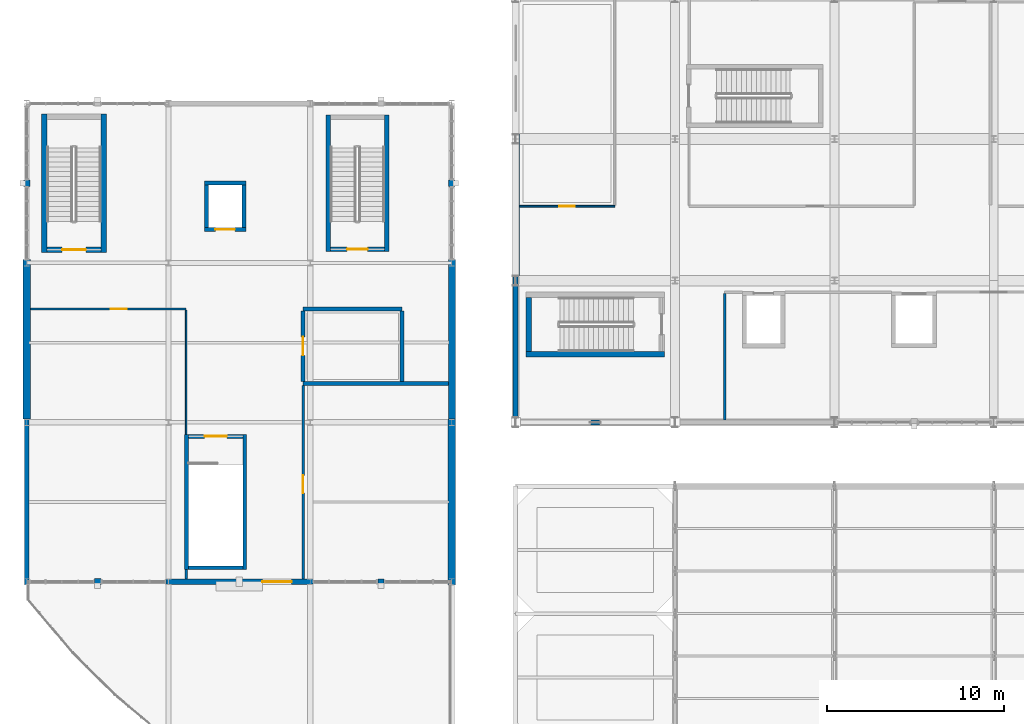
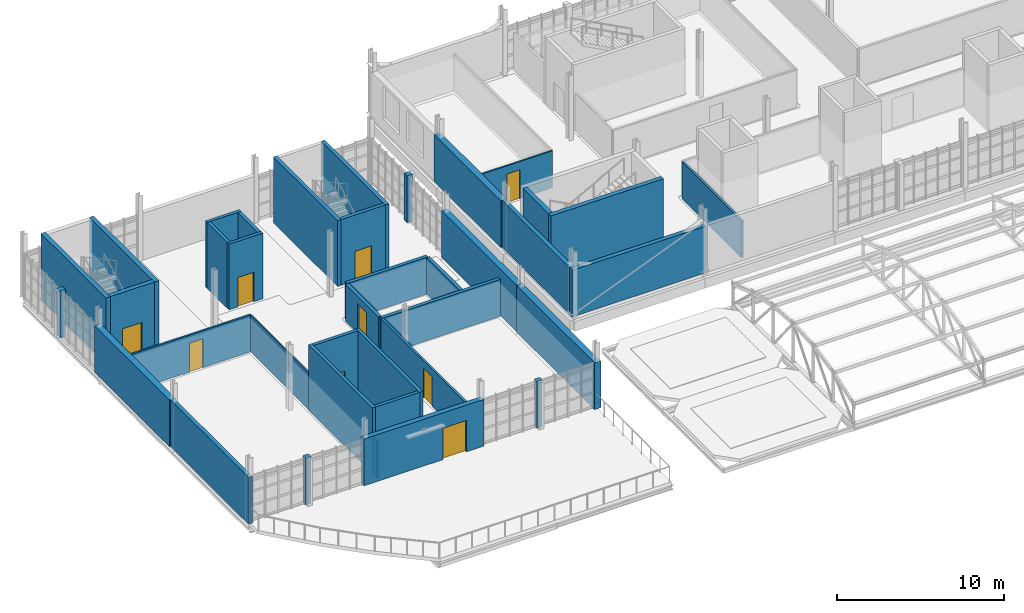
# One storey, part 113 of 128: 38 walls, 9 doors, 9 openings.
"""IFC4 building model written with IfcOpenShell, lengths in metres."""

from ifc_helpers import new_model, si_unit, direction, frame, frame_2d, origin, place, context, subcontext, project, spatial, rectangle, extrude, material, layer, layer_set, type_object, element, fill, save


model = new_model("IFC4")

# Units and contexts
model_context = context("Model", 3, precision=1e-05, world=origin(), true_north=direction((0.0, 1.0)))
body_context = subcontext(model_context, "Body", "Model", "MODEL_VIEW")
ifc_project = project(units=[si_unit("LENGTHUNIT", "METRE"), si_unit("AREAUNIT", "SQUARE_METRE"), si_unit("VOLUMEUNIT", "CUBIC_METRE"), si_unit("PLANEANGLEUNIT", "RADIAN"), si_unit("MASSUNIT", "GRAM", prefix="KILO")], contexts=[model_context])

# Site, building, storey
site_placement = place(None, origin())
site = spatial("IfcSite", under=ifc_project, at=site_placement, CompositionType="ELEMENT")
building_placement = place(site_placement, origin())
building = spatial("IfcBuilding", under=site, at=building_placement, Name="Serraforn Aerial Cableway Station", CompositionType="ELEMENT")
storey_placement = place(building_placement, frame((0.0, 0.0, 9.0)))
storey = spatial("IfcBuildingStorey", under=building, at=storey_placement, Name="L02", CompositionType="ELEMENT", Elevation=9.0)

# Wall, opening, door
ifc_material_1 = material(Name="Concrete C35/45", Category="concrete")
ifc_layer_1 = layer(ifc_material_1, 0.219970703125)
ifc_layer_set_1 = layer_set([ifc_layer_1], Name="Concrete C35/45")
wall_type_1 = type_object("IfcWallType", Name="WL-COR-220", PredefinedType="SHEAR", material=ifc_layer_set_1)
wall_1_placement = place(storey_placement, frame((9.139892578125, 17.2099609375, 0.0), z_axis=(0.0, 0.0, 1.0), x_axis=(1.0, 0.0, 0.0)))
wall_1 = element("IfcWall", 1, at=wall_1_placement, inside=storey, type_object=wall_type_1, Name="Stair Core Shear Wall WCOR-ST-12-L02-NEAR", PredefinedType="SHEAR", context=body_context, shape_type="SweptSolid", body=[
    extrude(rectangle(XDim=3.06005859375, YDim=0.219970703125, at=frame_2d((1.530029296875, 0.0))), origin(), (0.0, 0.0, 1.0), 4.800048828125),
])
opening_1_placement = place(wall_1_placement, frame((0.905029296875, 0.0, 0.0)))
opening_1 = element("IfcOpeningElement", 2, at=opening_1_placement, cuts=wall_1, Name="Opening D-S11", PredefinedType="OPENING", context=body_context, shape_type="SweptSolid", body=[
    extrude(rectangle(XDim=1.25, YDim=2.14990234375, at=frame_2d((0.625, 1.074951171875))), frame((0.0, 0.119873046875, 0.0), z_axis=(0.0, -1.0, 0.0), x_axis=(1.0, 0.0, 0.0)), (0.0, 0.0, 1.0), 0.239990234375),
])
ifc_material_2 = material(Name="Self-closing steel stair fire door", Category="steel")
door_type_1 = type_object("IfcDoorType", Name="DR-STAIR-125", OperationType="NOTDEFINED", PredefinedType="DOOR", material=ifc_material_2)
door_1_placement = place(opening_1_placement, origin())
door_1 = element("IfcDoor", 3, at=door_1_placement, inside=storey, type_object=door_type_1, Name="Protected Stair Door D-S11", OperationType="SINGLE_SWING_LEFT", OverallHeight=2.14990234375, OverallWidth=1.25, PredefinedType="DOOR", context=body_context, shape_type="SweptSolid", body=[
    extrude(rectangle(XDim=1.25, YDim=2.14990234375, at=frame_2d((0.625, 1.074951171875))), frame((0.0, 0.02490234375, 0.0), z_axis=(0.0, -1.0, 0.0), x_axis=(1.0, 0.0, 0.0)), (0.0, 0.0, 1.0), 0.050048828125),
])
fill(opening_1, door_1)

# Walls
wall_2_placement = place(storey_placement, frame((9.139892578125, 9.7900390625, 0.0), z_axis=(0.0, 0.0, 1.0), x_axis=(1.0, 0.0, 0.0)))
element("IfcWall", 4, at=wall_2_placement, inside=storey, type_object=wall_type_1, Name="Stair Core Shear Wall WCOR-ST-12-L02-FAR", PredefinedType="SHEAR", context=body_context, shape_type="SweptSolid", body=[
    extrude(rectangle(XDim=3.06005859375, YDim=0.219970703125, at=frame_2d((1.530029296875, 0.0))), origin(), (0.0, 0.0, 1.0), 4.800048828125),
])
for number, where, z_axis, x_axis, name in (
    (5, (9.030029296875, 17.320068359375, 0.0), (0.0, 0.0, 1.0), (0.0, -1.0, 0.0), "Stair Core Shear Wall WCOR-ST-12-L02-L"),
    (6, (12.31005859375, 17.320068359375, 0.0), (0.0, 0.0, 1.0), (0.0, -1.0, 0.0), "Stair Core Shear Wall WCOR-ST-12-L02-R"),
):
    element("IfcWall", number, at=place(storey_placement, frame(where, z_axis=z_axis, x_axis=x_axis)), inside=storey, type_object=wall_type_1, Name=name, PredefinedType="SHEAR", context=body_context, shape_type="SweptSolid", body=[
        extrude(rectangle(XDim=7.64013671875, YDim=0.219970703125, at=frame_2d((3.820068359375, 0.0))), origin(), (0.0, 0.0, 1.0), 4.800048828125),
    ])

# Wall, opening, door
wall_3_placement = place(storey_placement, frame((10.030029296875, 28.889892578125, 0.0), z_axis=(0.0, 0.0, 1.0), x_axis=(1.0, 0.0, 0.0)))
wall_3 = element("IfcWall", 7, at=wall_3_placement, inside=storey, type_object=wall_type_1, Name="Lift Shaft Shear Wall WLFT-LF-01-L02-S", PredefinedType="SHEAR", context=body_context, shape_type="SweptSolid", body=[
    extrude(rectangle(XDim=2.340087890625, YDim=0.219970703125, at=frame_2d((1.169921875, 0.0))), origin(), (0.0, 0.0, 1.0), 4.800048828125),
])
opening_2_placement = place(wall_3_placement, frame((0.6201171875, 0.0, 0.0)))
opening_2 = element("IfcOpeningElement", 8, at=opening_2_placement, cuts=wall_3, Name="Opening LD-03", PredefinedType="OPENING", context=body_context, shape_type="SweptSolid", body=[
    extrude(rectangle(XDim=1.10009765625, YDim=2.14990234375, at=frame_2d((0.550048828125, 1.074951171875))), frame((0.0, 0.119873046875, 0.0), z_axis=(0.0, -1.0, 0.0), x_axis=(1.0, 0.0, 0.0)), (0.0, 0.0, 1.0), 0.239990234375),
])
ifc_material_3 = material(Name="Brushed stainless-steel sliding lift landing door", Category="steel")
door_type_2 = type_object("IfcDoorType", Name="DR-LIFT-110", OperationType="SLIDING_TO_LEFT", PredefinedType="DOOR", material=ifc_material_3)
door_2_placement = place(opening_2_placement, origin())
door_2 = element("IfcDoor", 9, at=door_2_placement, inside=storey, type_object=door_type_2, Name="Sliding Lift Landing Door LD-03 (LF-01 L02)", OperationType="SLIDING_TO_LEFT", OverallHeight=2.14990234375, OverallWidth=1.10009765625, PredefinedType="DOOR", context=body_context, shape_type="SweptSolid", body=[
    extrude(rectangle(XDim=1.10009765625, YDim=2.14990234375, at=frame_2d((0.550048828125, 1.074951171875))), frame((0.0, 0.02490234375, 0.0), z_axis=(0.0, -1.0, 0.0), x_axis=(1.0, 0.0, 0.0)), (0.0, 0.0, 1.0), 0.050048828125),
])
fill(opening_2, door_2)

# Walls
wall_4_placement = place(storey_placement, frame((10.030029296875, 31.510009765625, 0.0), z_axis=(0.0, 0.0, 1.0), x_axis=(1.0, 0.0, 0.0)))
element("IfcWall", 10, at=wall_4_placement, inside=storey, type_object=wall_type_1, Name="Lift Shaft Shear Wall WLFT-LF-01-L02-N", PredefinedType="SHEAR", context=body_context, shape_type="SweptSolid", body=[
    extrude(rectangle(XDim=2.340087890625, YDim=0.219970703125, at=frame_2d((1.169921875, 0.0))), origin(), (0.0, 0.0, 1.0), 4.800048828125),
])
for number, where, z_axis, x_axis, name in (
    (11, (10.139892578125, 29.0, 0.0), (0.0, 0.0, 1.0), (0.0, 1.0, 0.0), "Lift Shaft Shear Wall WLFT-LF-01-L02-W"),
    (12, (12.260009765625, 29.0, 0.0), (0.0, 0.0, 1.0), (0.0, 1.0, 0.0), "Lift Shaft Shear Wall WLFT-LF-01-L02-E"),
):
    element("IfcWall", number, at=place(storey_placement, frame(where, z_axis=z_axis, x_axis=x_axis)), inside=storey, type_object=wall_type_1, Name=name, PredefinedType="SHEAR", context=body_context, shape_type="SweptSolid", body=[
        extrude(rectangle(XDim=2.39990234375, YDim=0.219970703125, at=frame_2d((1.199951171875, 0.0))), origin(), (0.0, 0.0, 1.0), 4.800048828125),
    ])

# Wall, opening, door
ifc_layer_2 = layer(ifc_material_1, 0.25)
ifc_layer_set_2 = layer_set([ifc_layer_2], Name="Concrete C35/45")
wall_type_2 = type_object("IfcWallType", Name="WL-COR-250", PredefinedType="SHEAR", material=ifc_layer_set_2)
wall_5_placement = place(storey_placement, frame((20.199951171875, 27.77490234375, 0.0), z_axis=(0.0, 0.0, 1.0), x_axis=(-1.0, 0.0, 0.0)))
wall_5 = element("IfcWall", 13, at=wall_5_placement, inside=storey, type_object=wall_type_2, Name="Stair Core Shear Wall WCOR-ST-02-L02-NEAR", PredefinedType="SHEAR", context=body_context, shape_type="SweptSolid", body=[
    extrude(rectangle(XDim=3.06005859375, YDim=0.25, at=frame_2d((1.530029296875, 0.0))), origin(), (0.0, 0.0, 1.0), 4.800048828125),
])
opening_3_placement = place(wall_5_placement, frame((0.955078125, 0.0, 0.0)))
opening_3 = element("IfcOpeningElement", 14, at=opening_3_placement, cuts=wall_5, Name="Opening D-S07", PredefinedType="OPENING", context=body_context, shape_type="SweptSolid", body=[
    extrude(rectangle(XDim=1.14990234375, YDim=2.14990234375, at=frame_2d((0.574951171875, 1.074951171875))), frame((0.0, 0.135009765625, 0.0), z_axis=(0.0, -1.0, 0.0), x_axis=(1.0, 0.0, 0.0)), (0.0, 0.0, 1.0), 0.27001953125),
])
door_type_3 = type_object("IfcDoorType", Name="DR-STAIR-115", OperationType="NOTDEFINED", PredefinedType="DOOR", material=ifc_material_2)
door_3_placement = place(opening_3_placement, origin())
door_3 = element("IfcDoor", 15, at=door_3_placement, inside=storey, type_object=door_type_3, Name="Protected Stair Door D-S07", OperationType="SINGLE_SWING_RIGHT", OverallHeight=2.14990234375, OverallWidth=1.14990234375, PredefinedType="DOOR", context=body_context, shape_type="SweptSolid", body=[
    extrude(rectangle(XDim=1.14990234375, YDim=2.14990234375, at=frame_2d((0.574951171875, 1.074951171875))), frame((0.0, 0.02490234375, 0.0), z_axis=(0.0, -1.0, 0.0), x_axis=(1.0, 0.0, 0.0)), (0.0, 0.0, 1.0), 0.050048828125),
])
fill(opening_3, door_3)

# Walls
for number, where, z_axis, x_axis, name in (
    (16, (20.324951171875, 27.64990234375, 0.0), (0.0, 0.0, 1.0), (0.0, 1.0, 0.0), "Stair Core Shear Wall WCOR-ST-02-L02-L"),
    (17, (17.014892578125, 27.64990234375, 0.0), (0.0, 0.0, 1.0), (0.0, 1.0, 0.0), "Stair Core Shear Wall WCOR-ST-02-L02-R"),
):
    element("IfcWall", number, at=place(storey_placement, frame(where, z_axis=z_axis, x_axis=x_axis)), inside=storey, type_object=wall_type_2, Name=name, PredefinedType="SHEAR", context=body_context, shape_type="SweptSolid", body=[
        extrude(rectangle(XDim=7.7001953125, YDim=0.25, at=frame_2d((3.85009765625, 0.0))), origin(), (0.0, 0.0, 1.0), 4.800048828125),
    ])

# Wall, opening, door
ifc_layer_3 = layer(ifc_material_1, 0.300048828125)
ifc_layer_set_3 = layer_set([ifc_layer_3], Name="Concrete C35/45")
wall_type_3 = type_object("IfcWallType", Name="WL-COR-300", PredefinedType="SHEAR", material=ifc_layer_set_3)
wall_6_placement = place(storey_placement, frame((4.199951171875, 27.75, 0.0), z_axis=(0.0, 0.0, 1.0), x_axis=(-1.0, 0.0, 0.0)))
wall_6 = element("IfcWall", 18, at=wall_6_placement, inside=storey, type_object=wall_type_3, Name="Stair Core Shear Wall WCOR-ST-01-L02-NEAR", PredefinedType="SHEAR", context=body_context, shape_type="SweptSolid", body=[
    extrude(rectangle(XDim=3.06005859375, YDim=0.300048828125, at=frame_2d((1.530029296875, 0.0))), origin(), (0.0, 0.0, 1.0), 4.800048828125),
])
opening_4_placement = place(wall_6_placement, frame((0.85498046875, 0.0, 0.0)))
opening_4 = element("IfcOpeningElement", 19, at=opening_4_placement, cuts=wall_6, Name="Opening D-S03", PredefinedType="OPENING", context=body_context, shape_type="SweptSolid", body=[
    extrude(rectangle(XDim=1.35009765625, YDim=2.14990234375, at=frame_2d((0.675048828125, 1.074951171875))), frame((0.0, 0.159912109375, 0.0), z_axis=(0.0, -1.0, 0.0), x_axis=(1.0, 0.0, 0.0)), (0.0, 0.0, 1.0), 0.320068359375),
])
door_type_4 = type_object("IfcDoorType", Name="DR-STAIR-135", OperationType="NOTDEFINED", PredefinedType="DOOR", material=ifc_material_2)
door_4_placement = place(opening_4_placement, origin())
door_4 = element("IfcDoor", 20, at=door_4_placement, inside=storey, type_object=door_type_4, Name="Protected Stair Door D-S03", OperationType="SINGLE_SWING_LEFT", OverallHeight=2.14990234375, OverallWidth=1.35009765625, PredefinedType="DOOR", context=body_context, shape_type="SweptSolid", body=[
    extrude(rectangle(XDim=1.35009765625, YDim=2.14990234375, at=frame_2d((0.675048828125, 1.074951171875))), frame((0.0, 0.02490234375, 0.0), z_axis=(0.0, -1.0, 0.0), x_axis=(1.0, 0.0, 0.0)), (0.0, 0.0, 1.0), 0.050048828125),
])
fill(opening_4, door_4)

# Walls
for number, where, z_axis, x_axis, name in (
    (21, (4.35009765625, 27.60009765625, 0.0), (0.0, 0.0, 1.0), (0.0, 1.0, 0.0), "Stair Core Shear Wall WCOR-ST-01-L02-L"),
    (22, (0.989990234375, 27.60009765625, 0.0), (0.0, 0.0, 1.0), (0.0, 1.0, 0.0), "Stair Core Shear Wall WCOR-ST-01-L02-R"),
):
    element("IfcWall", number, at=place(storey_placement, frame(where, z_axis=z_axis, x_axis=x_axis)), inside=storey, type_object=wall_type_3, Name=name, PredefinedType="SHEAR", context=body_context, shape_type="SweptSolid", body=[
        extrude(rectangle(XDim=7.7998046875, YDim=0.300048828125, at=frame_2d((3.89990234375, 0.0))), origin(), (0.0, 0.0, 1.0), 4.800048828125),
    ])
wall_7_placement = place(storey_placement, frame((28.35009765625, 25.06005859375, 0.0), z_axis=(0.0, 0.0, 1.0), x_axis=(0.0, -1.0, 0.0)))
element("IfcWall", 23, at=wall_7_placement, inside=storey, type_object=wall_type_3, Name="Stair Core Shear Wall WCOR-ST-03-L02-FAR", PredefinedType="SHEAR", context=body_context, shape_type="SweptSolid", body=[
    extrude(rectangle(XDim=3.06005859375, YDim=0.300048828125, at=frame_2d((1.530029296875, 0.0))), origin(), (0.0, 0.0, 1.0), 4.800048828125),
])
wall_8_placement = place(storey_placement, frame((36.0, 21.85009765625, 0.0), z_axis=(0.0, 0.0, 1.0), x_axis=(-1.0, 0.0, 0.0)))
element("IfcWall", 24, at=wall_8_placement, inside=storey, type_object=wall_type_3, Name="Stair Core Shear Wall WCOR-ST-03-L02-R", PredefinedType="SHEAR", context=body_context, shape_type="SweptSolid", body=[
    extrude(rectangle(XDim=7.800048828125, YDim=0.300048828125, at=frame_2d((3.89990234375, 0.0))), origin(), (0.0, 0.0, 1.0), 4.800048828125),
])
ifc_material_4 = material(Name="Insulated stuccoed terracotta facade", Category="masonry")
ifc_layer_4 = layer(ifc_material_4, 0.260009765625)
ifc_layer_set_4 = layer_set([ifc_layer_4], Name="Insulated stuccoed terracotta facade")
wall_type_4 = type_object("IfcWallType", Name="WL-EXT-260", PredefinedType="SOLIDWALL", material=ifc_layer_set_4)
wall_9_placement = place(storey_placement, frame((0.0, 18.179931640625, 0.0), z_axis=(0.0, 0.0, 1.0), x_axis=(0.0, -1.0, 0.0)))
element("IfcWall", 25, at=wall_9_placement, inside=storey, type_object=wall_type_4, Name="Exterior Wall WEXT-W-L02-W1", PredefinedType="SOLIDWALL", context=body_context, shape_type="SweptSolid", body=[
    extrude(rectangle(XDim=9.35986328125, YDim=0.260009765625, at=frame_2d((4.679931640625, 0.0))), origin(), (0.0, 0.0, 1.0), 3.419921875),
])
ifc_layer_5 = layer(ifc_material_4, 0.27490234375)
ifc_layer_set_5 = layer_set([ifc_layer_5], Name="Insulated stuccoed terracotta facade")
wall_type_5 = type_object("IfcWallType", Name="WL-EXT-275", PredefinedType="SOLIDWALL", material=ifc_layer_set_5)
wall_10_placement = place(storey_placement, frame((27.60009765625, 26.27490234375, 0.0), z_axis=(0.0, 0.0, 1.0), x_axis=(0.0, -1.0, 0.0)))
element("IfcWall", 26, at=wall_10_placement, inside=storey, type_object=wall_type_5, Name="Exterior Wall WEXT-CV-L02-W1", PredefinedType="SOLIDWALL", context=body_context, shape_type="SweptSolid", body=[
    extrude(rectangle(XDim=8.12890625, YDim=0.27490234375, at=frame_2d((4.064453125, 0.0))), origin(), (0.0, 0.0, 1.0), 3.419921875),
])
ifc_material_5 = material(Name="Insulated fluted limestone rainscreen", Category="masonry")
ifc_layer_6 = layer(ifc_material_5, 0.2900390625)
ifc_layer_set_6 = layer_set([ifc_layer_6], Name="Insulated fluted limestone rainscreen")
wall_type_6 = type_object("IfcWallType", Name="WL-EXT-290", PredefinedType="SOLIDWALL", material=ifc_layer_set_6)
wall_11_placement = place(storey_placement, frame((27.449951171875, 18.0, 0.0), z_axis=(0.0, 0.0, 1.0), x_axis=(1.0, 0.0, 0.0)))
element("IfcWall", 27, at=wall_11_placement, inside=storey, type_object=wall_type_6, Name="Exterior Wall WEXT-CV-L02-S1", PredefinedType="SOLIDWALL", context=body_context, shape_type="SweptSolid", body=[
    extrude(rectangle(XDim=9.300048828125, YDim=0.2900390625, at=frame_2d((4.64990234375, 0.0))), origin(), (0.0, 0.0, 1.0), 3.419921875),
])
ifc_layer_7 = layer(ifc_material_5, 0.320068359375)
ifc_layer_set_7 = layer_set([ifc_layer_7], Name="Insulated fluted limestone rainscreen")
wall_type_7 = type_object("IfcWallType", Name="WL-EXT-320", PredefinedType="SOLIDWALL", material=ifc_layer_set_7)
wall_12_placement = place(storey_placement, frame((19.820068359375, 9.0, 0.0), z_axis=(0.0, 0.0, 1.0), x_axis=(1.0, 0.0, 0.0)))
element("IfcWall", 28, at=wall_12_placement, inside=storey, type_object=wall_type_7, Name="Exterior Wall WPIER-W-L02-S3", PredefinedType="SOLIDWALL", context=body_context, shape_type="SweptSolid", body=[
    extrude(rectangle(XDim=0.35986328125, YDim=0.320068359375, at=frame_2d((0.179931640625, 0.0))), origin(), (0.0, 0.0, 1.0), 3.419921875),
])

# Wall, opening, door
ifc_layer_8 = layer(ifc_material_5, 0.3349609375)
ifc_layer_set_8 = layer_set([ifc_layer_8], Name="Insulated fluted limestone rainscreen")
wall_type_8 = type_object("IfcWallType", Name="WL-EXT-335", PredefinedType="SOLIDWALL", material=ifc_layer_set_8)
wall_13_placement = place(storey_placement, frame((7.85009765625, 9.0, 0.0), z_axis=(0.0, 0.0, 1.0), x_axis=(1.0, 0.0, 0.0)))
wall_13 = element("IfcWall", 29, at=wall_13_placement, inside=storey, type_object=wall_type_8, Name="Exterior Wall WEXT-W-L02-S2", PredefinedType="SOLIDWALL", context=body_context, shape_type="SweptSolid", body=[
    extrude(rectangle(XDim=8.2998046875, YDim=0.3349609375, at=frame_2d((4.14990234375, 0.0))), origin(), (0.0, 0.0, 1.0), 3.419921875),
])
opening_5_placement = place(wall_13_placement, frame((5.44970703125, 0.0, 0.0)))
opening_5 = element("IfcOpeningElement", 30, at=opening_5_placement, cuts=wall_13, Name="Opening DT-01", PredefinedType="OPENING", context=body_context, shape_type="SweptSolid", body=[
    extrude(rectangle(XDim=1.64990234375, YDim=2.300048828125, at=frame_2d((0.824951171875, 1.14990234375))), frame((0.0, 0.177490234375, 0.0), z_axis=(0.0, -1.0, 0.0), x_axis=(1.0, 0.0, 0.0)), (0.0, 0.0, 1.0), 0.35498046875),
])
ifc_material_6 = material(Name="Anodised bronze thermally broken aluminium and laminated glass", Category="aluminium")
door_type_5 = type_object("IfcDoorType", Name="DR-TER-165", OperationType="DOUBLE_SWING_LEFT", PredefinedType="DOOR", material=ifc_material_6)
door_5_placement = place(opening_5_placement, origin())
door_5 = element("IfcDoor", 31, at=door_5_placement, inside=storey, type_object=door_type_5, Name="Exterior Door DT-W-L02-TER", OperationType="DOUBLE_SWING_LEFT", OverallHeight=2.300048828125, OverallWidth=1.64990234375, PredefinedType="DOOR", context=body_context, shape_type="SweptSolid", body=[
    extrude(rectangle(XDim=1.64990234375, YDim=2.300048828125, at=frame_2d((0.824951171875, 1.14990234375))), frame((0.0, 0.02490234375, 0.0), z_axis=(0.0, -1.0, 0.0), x_axis=(1.0, 0.0, 0.0)), (0.0, 0.0, 1.0), 0.050048828125),
])
fill(opening_5, door_5)

# Walls
ifc_material_7 = material(Name="Montjuic sandstone ashlar masonry", Category="masonry")
ifc_layer_9 = layer(ifc_material_7, 0.35009765625)
ifc_layer_set_9 = layer_set([ifc_layer_9], Name="Montjuic sandstone ashlar masonry")
wall_type_9 = type_object("IfcWallType", Name="WL-EXT-350", PredefinedType="SOLIDWALL", material=ifc_layer_set_9)
wall_14_placement = place(storey_placement, frame((3.820068359375, 9.0, 0.0), z_axis=(0.0, 0.0, 1.0), x_axis=(1.0, 0.0, 0.0)))
element("IfcWall", 32, at=wall_14_placement, inside=storey, type_object=wall_type_9, Name="Exterior Wall WPIER-W-L02-S1", PredefinedType="SOLIDWALL", context=body_context, shape_type="SweptSolid", body=[
    extrude(rectangle(XDim=0.35986328125, YDim=0.35009765625, at=frame_2d((0.179931640625, 0.0))), origin(), (0.0, 0.0, 1.0), 3.419921875),
])
ifc_layer_10 = layer(ifc_material_7, 0.364990234375)
ifc_layer_set_10 = layer_set([ifc_layer_10], Name="Montjuic sandstone ashlar masonry")
wall_type_10 = type_object("IfcWallType", Name="WL-EXT-365", PredefinedType="SOLIDWALL", material=ifc_layer_set_10)
wall_15_placement = place(storey_placement, frame((24.0, 31.320068359375, 0.0), z_axis=(0.0, 0.0, 1.0), x_axis=(0.0, 1.0, 0.0)))
element("IfcWall", 33, at=wall_15_placement, inside=storey, type_object=wall_type_10, Name="Exterior Wall WPIER-W-L02-E3", PredefinedType="SOLIDWALL", context=body_context, shape_type="SweptSolid", body=[
    extrude(rectangle(XDim=0.35986328125, YDim=0.364990234375, at=frame_2d((0.179931640625, 0.0))), origin(), (0.0, 0.0, 1.0), 3.419921875),
])
ifc_layer_11 = layer(ifc_material_7, 0.3798828125)
ifc_layer_set_11 = layer_set([ifc_layer_11], Name="Montjuic sandstone ashlar masonry")
wall_type_11 = type_object("IfcWallType", Name="WL-EXT-380", PredefinedType="SOLIDWALL", material=ifc_layer_set_11)
wall_16_placement = place(storey_placement, frame((0.0, 31.679931640625, 0.0), z_axis=(0.0, 0.0, 1.0), x_axis=(0.0, -1.0, 0.0)))
element("IfcWall", 34, at=wall_16_placement, inside=storey, type_object=wall_type_11, Name="Exterior Wall WPIER-W-L02-W3", PredefinedType="SOLIDWALL", context=body_context, shape_type="SweptSolid", body=[
    extrude(rectangle(XDim=0.35986328125, YDim=0.3798828125, at=frame_2d((0.179931640625, 0.0))), origin(), (0.0, 0.0, 1.0), 3.419921875),
])
ifc_layer_12 = layer(ifc_material_7, 0.39990234375)
ifc_layer_set_12 = layer_set([ifc_layer_12], Name="Montjuic sandstone ashlar masonry")
wall_type_12 = type_object("IfcWallType", Name="WL-EXT-400", PredefinedType="SOLIDWALL", material=ifc_layer_set_12)
wall_17_placement = place(storey_placement, frame((24.0, 18.180908203125, 0.0), z_axis=(0.0, 0.0, 1.0), x_axis=(0.0, 1.0, 0.0)))
element("IfcWall", 35, at=wall_17_placement, inside=storey, type_object=wall_type_12, Name="Exterior Wall WEXT-W-L02-E2", PredefinedType="SOLIDWALL", context=body_context, shape_type="SweptSolid", body=[
    extrude(rectangle(XDim=8.9990234375, YDim=0.39990234375, at=frame_2d((4.49951171875, 0.0))), origin(), (0.0, 0.0, 1.0), 3.419921875),
])
ifc_layer_13 = layer(ifc_material_7, 0.4150390625)
ifc_layer_set_13 = layer_set([ifc_layer_13], Name="Montjuic sandstone ashlar masonry")
wall_type_13 = type_object("IfcWallType", Name="WL-EXT-415", PredefinedType="SOLIDWALL", material=ifc_layer_set_13)
wall_18_placement = place(storey_placement, frame((0.0, 27.179931640625, 0.0), z_axis=(0.0, 0.0, 1.0), x_axis=(0.0, -1.0, 0.0)))
element("IfcWall", 36, at=wall_18_placement, inside=storey, type_object=wall_type_13, Name="Exterior Wall WEXT-W-L02-W2", PredefinedType="SOLIDWALL", context=body_context, shape_type="SweptSolid", body=[
    extrude(rectangle(XDim=8.9990234375, YDim=0.4150390625, at=frame_2d((4.49951171875, 0.0))), origin(), (0.0, 0.0, 1.0), 3.419921875),
])
ifc_layer_14 = layer(ifc_material_7, 0.429931640625)
ifc_layer_set_14 = layer_set([ifc_layer_14], Name="Montjuic sandstone ashlar masonry")
wall_type_14 = type_object("IfcWallType", Name="WL-EXT-430", PredefinedType="SOLIDWALL", material=ifc_layer_set_14)
wall_19_placement = place(storey_placement, frame((24.0, 8.820068359375, 0.0), z_axis=(0.0, 0.0, 1.0), x_axis=(0.0, 1.0, 0.0)))
element("IfcWall", 37, at=wall_19_placement, inside=storey, type_object=wall_type_14, Name="Exterior Wall WEXT-W-L02-E1", PredefinedType="SOLIDWALL", context=body_context, shape_type="SweptSolid", body=[
    extrude(rectangle(XDim=9.35986328125, YDim=0.429931640625, at=frame_2d((4.679931640625, 0.0))), origin(), (0.0, 0.0, 1.0), 3.419921875),
])
wall_20_placement = place(storey_placement, frame((27.60009765625, 34.27490234375, 0.0), z_axis=(0.0, 0.0, 1.0), x_axis=(0.0, -1.0, 0.0)))
element("IfcWall", 38, at=wall_20_placement, inside=storey, type_object=wall_type_14, Name="Exterior Wall WEXT-CV-L02-W2", PredefinedType="SOLIDWALL", context=body_context, shape_type="SweptSolid", body=[
    extrude(rectangle(XDim=7.9990234375, YDim=0.429931640625, at=frame_2d((3.99951171875, 0.0))), origin(), (0.0, 0.0, 1.0), 3.419921875),
])

# Wall, opening, door
ifc_material_8 = material(Name="Operable acoustic auditorium partition")
ifc_layer_15 = layer(ifc_material_8, 0.1259765625)
ifc_layer_set_15 = layer_set([ifc_layer_15], Name="Operable acoustic auditorium partition")
wall_type_15 = type_object("IfcWallType", Name="WL-MOV-126", PredefinedType="MOVABLE", material=ifc_layer_set_15)
wall_21_placement = place(storey_placement, frame((0.20849609375, 24.39990234375, 0.0), z_axis=(0.0, 0.0, 1.0), x_axis=(1.0, 0.0, 0.0)))
wall_21 = element("IfcWall", 39, at=wall_21_placement, inside=storey, type_object=wall_type_15, Name="Interior Partition WPRT-L02-01-156", PredefinedType="MOVABLE", context=body_context, shape_type="SweptSolid", body=[
    extrude(rectangle(XDim=8.79150390625, YDim=0.1259765625, at=frame_2d((4.395751953125, 0.0))), origin(), (0.0, 0.0, 1.0), 2.699951171875),
])
opening_6_placement = place(wall_21_placement, frame((4.531494140625, 0.0, 0.0)))
opening_6 = element("IfcOpeningElement", 40, at=opening_6_placement, cuts=wall_21, Name="Opening DI-049", PredefinedType="OPENING", context=body_context, shape_type="SweptSolid", body=[
    extrude(rectangle(XDim=0.919921875, YDim=2.1201171875, at=frame_2d((0.4599609375, 1.06005859375))), frame((0.0, 0.072998046875, 0.0), z_axis=(0.0, -1.0, 0.0), x_axis=(1.0, 0.0, 0.0)), (0.0, 0.0, 1.0), 0.14599609375),
])
ifc_material_9 = material(Name="Timber acoustic veneer leaf", Category="wood")
door_type_6 = type_object("IfcDoorType", Name="DR-INT-092", OperationType="NOTDEFINED", PredefinedType="DOOR", material=ifc_material_9)
door_6_placement = place(opening_6_placement, origin())
door_6 = element("IfcDoor", 41, at=door_6_placement, inside=storey, type_object=door_type_6, Name="Room Door DI-049 (L02-01)", OperationType="SINGLE_SWING_RIGHT", OverallHeight=2.1201171875, OverallWidth=0.919921875, PredefinedType="DOOR", context=body_context, shape_type="SweptSolid", body=[
    extrude(rectangle(XDim=0.919921875, YDim=2.1201171875, at=frame_2d((0.4599609375, 1.06005859375))), frame((0.0, 0.02490234375, 0.0), z_axis=(0.0, -1.0, 0.0), x_axis=(1.0, 0.0, 0.0)), (0.0, 0.0, 1.0), 0.050048828125),
])
fill(opening_6, door_6)

ifc_material_10 = material(Name="Sanitary service chase partition")
ifc_layer_16 = layer(ifc_material_10, 0.22802734375)
ifc_layer_set_16 = layer_set([ifc_layer_16], Name="Sanitary service chase partition")
wall_type_16 = type_object("IfcWallType", Name="WL-PLM-228", PredefinedType="PLUMBINGWALL", material=ifc_layer_set_16)
wall_22_placement = place(storey_placement, frame((15.60009765625, 20.318603515625, 0.0), z_axis=(0.0, 0.0, 1.0), x_axis=(0.0, 1.0, 0.0)))
wall_22 = element("IfcWall", 42, at=wall_22_placement, inside=storey, type_object=wall_type_16, Name="Interior Partition WPRT-L02-16-161", PredefinedType="PLUMBINGWALL", context=body_context, shape_type="SweptSolid", body=[
    extrude(rectangle(XDim=3.96630859375, YDim=0.22802734375, at=frame_2d((1.983154296875, 0.0))), origin(), (0.0, 0.0, 1.0), 2.699951171875),
])
opening_7_placement = place(wall_22_placement, frame((1.45654296875, 0.0, 0.0)))
opening_7 = element("IfcOpeningElement", 43, at=opening_7_placement, cuts=wall_22, Name="Opening DI-051", PredefinedType="OPENING", context=body_context, shape_type="SweptSolid", body=[
    extrude(rectangle(XDim=1.050048828125, YDim=2.14990234375, at=frame_2d((0.52490234375, 1.074951171875))), frame((0.0, 0.1240234375, 0.0), z_axis=(0.0, -1.0, 0.0), x_axis=(1.0, 0.0, 0.0)), (0.0, 0.0, 1.0), 0.248046875),
])
ifc_material_11 = material(Name="Fire-rated oak veneer leaf")
door_type_7 = type_object("IfcDoorType", Name="DR-INT-105", OperationType="NOTDEFINED", PredefinedType="DOOR", material=ifc_material_11)
door_7_placement = place(opening_7_placement, origin())
door_7 = element("IfcDoor", 44, at=door_7_placement, inside=storey, type_object=door_type_7, Name="Room Door DI-051 (L02-16)", OperationType="SINGLE_SWING_RIGHT", OverallHeight=2.14990234375, OverallWidth=1.050048828125, PredefinedType="DOOR", context=body_context, shape_type="SweptSolid", body=[
    extrude(rectangle(XDim=1.050048828125, YDim=2.14990234375, at=frame_2d((0.52490234375, 1.074951171875))), frame((0.0, 0.02490234375, 0.0), z_axis=(0.0, -1.0, 0.0), x_axis=(1.0, 0.0, 0.0)), (0.0, 0.0, 1.0), 0.050048828125),
])
fill(opening_7, door_7)

# Walls
wall_23_placement = place(storey_placement, frame((15.60009765625, 24.39990234375, 0.0), z_axis=(0.0, 0.0, 1.0), x_axis=(1.0, 0.0, 0.0)))
element("IfcWall", 45, at=wall_23_placement, inside=storey, type_object=wall_type_16, Name="Interior Partition WPRT-L02-16-162", PredefinedType="PLUMBINGWALL", context=body_context, shape_type="SweptSolid", body=[
    extrude(rectangle(XDim=5.599853515625, YDim=0.22802734375, at=frame_2d((2.7998046875, 0.0))), origin(), (0.0, 0.0, 1.0), 2.699951171875),
])
wall_24_placement = place(storey_placement, frame((21.199951171875, 24.284912109375, 0.0), z_axis=(0.0, 0.0, 1.0), x_axis=(0.0, -1.0, 0.0)))
element("IfcWall", 46, at=wall_24_placement, inside=storey, type_object=wall_type_16, Name="Interior Partition WPRT-L02-16-163", PredefinedType="PLUMBINGWALL", context=body_context, shape_type="SweptSolid", body=[
    extrude(rectangle(XDim=3.96630859375, YDim=0.22802734375, at=frame_2d((1.983154296875, 0.0))), origin(), (0.0, 0.0, 1.0), 2.699951171875),
])
ifc_material_12 = material(Name="Glazed acoustic timber-framed partition", Category="wood")
ifc_layer_17 = layer(ifc_material_12, 0.092041015625)
ifc_layer_set_17 = layer_set([ifc_layer_17], Name="Glazed acoustic timber-framed partition")
wall_type_17 = type_object("IfcWallType", Name="WL-PRT-092", PredefinedType="PARTITIONING", material=ifc_layer_set_17)
wall_25_placement = place(storey_placement, frame((9.0, 24.3359375, 0.0), z_axis=(0.0, 0.0, 1.0), x_axis=(0.0, -1.0, 0.0)))
element("IfcWall", 47, at=wall_25_placement, inside=storey, type_object=wall_type_17, Name="Interior Partition WPRT-L02-01-157", PredefinedType="PARTITIONING", context=body_context, shape_type="SweptSolid", body=[
    extrude(rectangle(XDim=7.014892578125, YDim=0.092041015625, at=frame_2d((3.50732421875, 0.0))), origin(), (0.0, 0.0, 1.0), 2.699951171875),
])

# Wall, opening, door
ifc_layer_18 = layer(ifc_material_12, 0.10595703125)
ifc_layer_set_18 = layer_set([ifc_layer_18], Name="Glazed acoustic timber-framed partition")
wall_type_18 = type_object("IfcWallType", Name="WL-PRT-106", PredefinedType="PARTITIONING", material=ifc_layer_set_18)
wall_26_placement = place(storey_placement, frame((33.199951171875, 30.199951171875, 0.0), z_axis=(0.0, 0.0, 1.0), x_axis=(-1.0, 0.0, 0.0)))
wall_26 = element("IfcWall", 48, at=wall_26_placement, inside=storey, type_object=wall_type_18, Name="Interior Partition WPRT-L02-17-174", PredefinedType="PARTITIONING", context=body_context, shape_type="SweptSolid", body=[
    extrude(rectangle(XDim=5.384033203125, YDim=0.10595703125, at=frame_2d((2.69189453125, 0.0))), origin(), (0.0, 0.0, 1.0), 2.699951171875),
])
opening_8_placement = place(wall_26_placement, frame((2.260009765625, 0.0, 0.0)))
opening_8 = element("IfcOpeningElement", 49, at=opening_8_placement, cuts=wall_26, Name="Opening DI-054", PredefinedType="OPENING", context=body_context, shape_type="SweptSolid", body=[
    extrude(rectangle(XDim=0.8798828125, YDim=2.10009765625, at=frame_2d((0.43994140625, 1.050048828125))), frame((0.0, 0.06298828125, 0.0), z_axis=(0.0, -1.0, 0.0), x_axis=(1.0, 0.0, 0.0)), (0.0, 0.0, 1.0), 0.1259765625),
])
door_type_8 = type_object("IfcDoorType", Name="DR-INT-088", OperationType="NOTDEFINED", PredefinedType="DOOR", material=ifc_material_9)
door_8_placement = place(opening_8_placement, origin())
door_8 = element("IfcDoor", 50, at=door_8_placement, inside=storey, type_object=door_type_8, Name="Room Door DI-054 (L02-17)", OperationType="SINGLE_SWING_LEFT", OverallHeight=2.10009765625, OverallWidth=0.8798828125, PredefinedType="DOOR", context=body_context, shape_type="SweptSolid", body=[
    extrude(rectangle(XDim=0.8798828125, YDim=2.10009765625, at=frame_2d((0.43994140625, 1.050048828125))), frame((0.0, 0.02490234375, 0.0), z_axis=(0.0, -1.0, 0.0), x_axis=(1.0, 0.0, 0.0)), (0.0, 0.0, 1.0), 0.050048828125),
])
fill(opening_8, door_8)

# Wall
ifc_material_13 = material(Name="Acoustic twin-stud gypsum partition")
ifc_layer_19 = layer(ifc_material_13, 0.135009765625)
ifc_layer_set_19 = layer_set([ifc_layer_19], Name="Acoustic twin-stud gypsum partition")
wall_type_19 = type_object("IfcWallType", Name="WL-PRT-135", PredefinedType="PARTITIONING", material=ifc_layer_set_19)
wall_27_placement = place(storey_placement, frame((9.0, 9.678955078125, 0.0), z_axis=(0.0, 0.0, 1.0), x_axis=(0.0, -1.0, 0.0)))
element("IfcWall", 51, at=wall_27_placement, inside=storey, type_object=wall_type_19, Name="Interior Partition WPRT-L02-01-158", PredefinedType="PARTITIONING", context=body_context, shape_type="SweptSolid", body=[
    extrude(rectangle(XDim=0.510498046875, YDim=0.135009765625, at=frame_2d((0.25537109375, 0.0))), origin(), (0.0, 0.0, 1.0), 2.699951171875),
])

# Wall, opening, door
ifc_layer_20 = layer(ifc_material_13, 0.14501953125)
ifc_layer_set_20 = layer_set([ifc_layer_20], Name="Acoustic twin-stud gypsum partition")
wall_type_20 = type_object("IfcWallType", Name="WL-PRT-145", PredefinedType="PARTITIONING", material=ifc_layer_set_20)
wall_28_placement = place(storey_placement, frame((15.60009765625, 9.16845703125, 0.0), z_axis=(0.0, 0.0, 1.0), x_axis=(0.0, 1.0, 0.0)))
wall_28 = element("IfcWall", 52, at=wall_28_placement, inside=storey, type_object=wall_type_20, Name="Interior Partition WPRT-L02-02-159", PredefinedType="PARTITIONING", context=body_context, shape_type="SweptSolid", body=[
    extrude(rectangle(XDim=10.9130859375, YDim=0.14501953125, at=frame_2d((5.45654296875, 0.0))), origin(), (0.0, 0.0, 1.0), 2.699951171875),
])
opening_9_placement = place(wall_28_placement, frame((4.83154296875, 0.0, 0.0)))
opening_9 = element("IfcOpeningElement", 53, at=opening_9_placement, cuts=wall_28, Name="Opening DI-050", PredefinedType="OPENING", context=body_context, shape_type="SweptSolid", body=[
    extrude(rectangle(XDim=1.0, YDim=2.14990234375, at=frame_2d((0.5, 1.074951171875))), frame((0.0, 0.08251953125, 0.0), z_axis=(0.0, -1.0, 0.0), x_axis=(1.0, 0.0, 0.0)), (0.0, 0.0, 1.0), 0.1650390625),
])
door_type_9 = type_object("IfcDoorType", Name="DR-INT-100", OperationType="NOTDEFINED", PredefinedType="DOOR", material=ifc_material_11)
door_9_placement = place(opening_9_placement, origin())
door_9 = element("IfcDoor", 54, at=door_9_placement, inside=storey, type_object=door_type_9, Name="Room Door DI-050 (L02-02)", OperationType="SINGLE_SWING_LEFT", OverallHeight=2.14990234375, OverallWidth=1.0, PredefinedType="DOOR", context=body_context, shape_type="SweptSolid", body=[
    extrude(rectangle(XDim=1.0, YDim=2.14990234375, at=frame_2d((0.5, 1.074951171875))), frame((0.0, 0.02490234375, 0.0), z_axis=(0.0, -1.0, 0.0), x_axis=(1.0, 0.0, 0.0)), (0.0, 0.0, 1.0), 0.050048828125),
])
fill(opening_9, door_9)

# Walls
ifc_layer_21 = layer(ifc_material_13, 0.14990234375)
ifc_layer_set_21 = layer_set([ifc_layer_21], Name="Acoustic twin-stud gypsum partition")
wall_type_21 = type_object("IfcWallType", Name="WL-PRT-150", PredefinedType="PARTITIONING", material=ifc_layer_set_21)
wall_29_placement = place(storey_placement, frame((39.39990234375, 18.131103515625, 0.0), z_axis=(0.0, 0.0, 1.0), x_axis=(0.0, 1.0, 0.0)))
element("IfcWall", 55, at=wall_29_placement, inside=storey, type_object=wall_type_21, Name="Interior Partition WPRT-L02-07-167", PredefinedType="PARTITIONING", context=body_context, shape_type="SweptSolid", body=[
    extrude(rectangle(XDim=7.14794921875, YDim=0.14990234375, at=frame_2d((3.573974609375, 0.0))), origin(), (0.0, 0.0, 1.0), 2.699951171875),
])
ifc_material_14 = material(Name="Acoustic masonry blockwork", Category="masonry")
ifc_layer_22 = layer(ifc_material_14, 0.235107421875)
ifc_layer_set_22 = layer_set([ifc_layer_22], Name="Acoustic masonry blockwork")
wall_type_22 = type_object("IfcWallType", Name="WL-PRT-235", PredefinedType="PARTITIONING", material=ifc_layer_set_22)
wall_30_placement = place(storey_placement, frame((15.60009765625, 20.199951171875, 0.0), z_axis=(0.0, 0.0, 1.0), x_axis=(1.0, 0.0, 0.0)))
element("IfcWall", 56, at=wall_30_placement, inside=storey, type_object=wall_type_22, Name="Interior Partition WPRT-L02-02-160", PredefinedType="PARTITIONING", context=body_context, shape_type="SweptSolid", body=[
    extrude(rectangle(XDim=8.198974609375, YDim=0.235107421875, at=frame_2d((4.099609375, 0.0))), origin(), (0.0, 0.0, 1.0), 2.699951171875),
])

save(model, "model.ifc")
